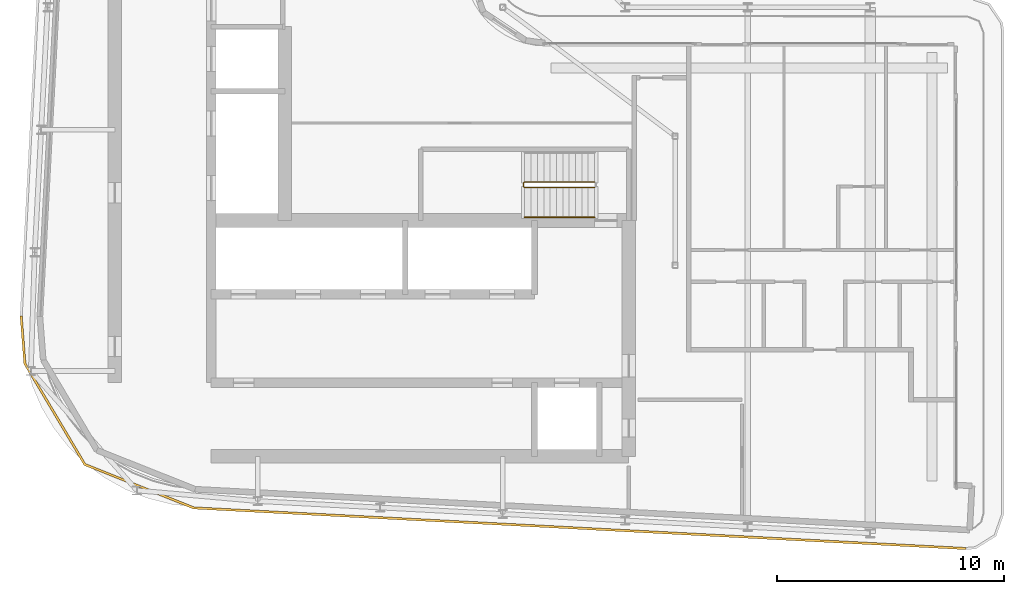
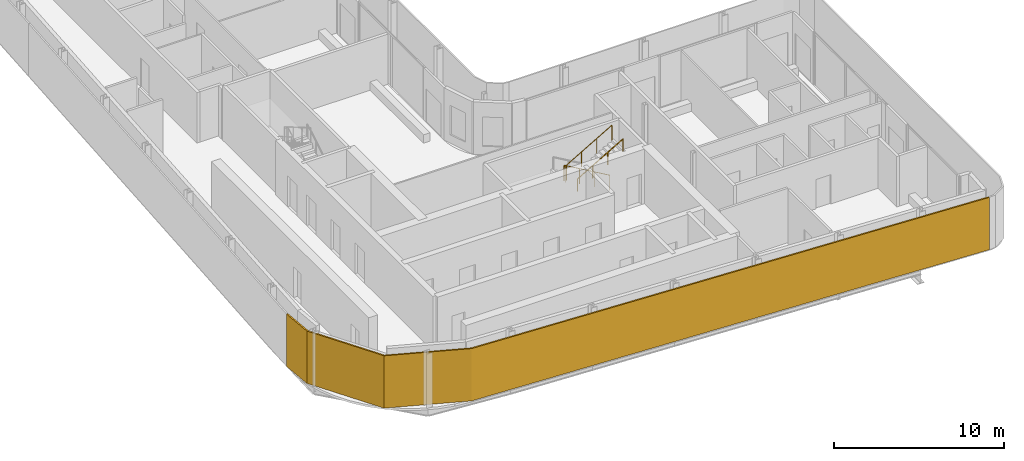
# One storey, part 16 of 21: 2 railings, 1 shading device.
"""IFC4 building model written with IfcOpenShell, lengths in metres."""

from ifc_helpers import new_model, si_unit, direction, frame, origin, origin_2d, place, context, subcontext, project, spatial, polyline, circle, outline, extrude, material, layer, layer_set, type_object, element, save


model = new_model("IFC4")

# Units and contexts
model_context = context("Model", 3, precision=1e-05, world=origin(), true_north=direction((0.0, 1.0)))
body_context = subcontext(model_context, "Body", "Model", "MODEL_VIEW")
ifc_project = project(units=[si_unit("LENGTHUNIT", "METRE"), si_unit("AREAUNIT", "SQUARE_METRE"), si_unit("VOLUMEUNIT", "CUBIC_METRE"), si_unit("PLANEANGLEUNIT", "RADIAN"), si_unit("MASSUNIT", "GRAM", prefix="KILO")], contexts=[model_context])

# Site, building, storey
site_placement = place(None, origin())
site = spatial("IfcSite", under=ifc_project, at=site_placement, CompositionType="ELEMENT")
building_placement = place(site_placement, origin())
building = spatial("IfcBuilding", under=site, at=building_placement, Name="Kheshtan School and Residences Tower", CompositionType="ELEMENT")
storey_placement = place(building_placement, frame((0.0, 0.0, 294.199951171875)))
storey = spatial("IfcBuildingStorey", under=building, at=storey_placement, Name="L69", CompositionType="ELEMENT", Elevation=294.199951171875)

# Shading device
ifc_material_1 = material(Name="Terracotta baguette, extruded ceramic", Category="masonry")
ifc_layer = layer(ifc_material_1, 0.10009765625)
ifc_layer_set = layer_set([ifc_layer], Name="Ledge screen, terracotta baguettes")
shading_device_type = type_object("IfcShadingDeviceType", Name="Ledge screen, terracotta baguettes", PredefinedType="USERDEFINED", material=ifc_layer_set)
shading_device_placement = place(storey_placement, origin())
element("IfcShadingDevice", 1, at=shading_device_placement, inside=storey, type_object=shading_device_type, Name="Screen L69 3", ObjectType="BAGUETTE", PredefinedType="USERDEFINED", context=body_context, shape_type="SweptSolid", body=[
    extrude(outline(polyline([(68.02099609375, 21.7880859375), (33.989013671875, 23.580078125), (29.2119140625, 25.486083984375), (26.583984375, 29.906982421875), (26.419921875, 31.989013671875), (26.320068359375, 31.98095703125), (26.486083984375, 29.8759765625), (29.14306640625, 25.406005859375), (33.967041015625, 23.48095703125), (68.01611328125, 21.68798828125), (68.02099609375, 21.7880859375)])), origin(), (0.0, 0.0, 1.0), 3.75),
])

# Railings
ifc_material_2 = material(Name="Stainless steel balustrade", Category="steel")
railing_type_1 = type_object("IfcRailingType", Name="Stair guard 1100", PredefinedType="GUARDRAIL", material=ifc_material_2)
railing_1_placement = place(storey_placement, frame((51.64990234375, 37.89990234375, 0.16259765625)))
element("IfcRailing", 2, at=railing_1_placement, inside=storey, type_object=railing_type_1, Name="L69 ST1 stair guard 1", PredefinedType="GUARDRAIL", context=body_context, shape_type="SweptSolid", body=[
    extrude(circle(Radius=0.02392578125, at=origin_2d()), frame((0.0, 0.0, 1.076171875), z_axis=(-0.864903211148, 0.0, 0.501938676878), x_axis=(0.0, -1.0, 0.0)), (0.0, 0.0, 1.0), 3.560791015625),
    extrude(circle(Radius=0.02392578125, at=origin_2d()), frame((-3.079833984375, 0.0, 2.86328125), z_axis=(-0.708833529934, -0.705375805398, 0.0), x_axis=(0.705375805398, -0.708833529934, 0.0)), (0.0, 0.0, 1.0), 0.070556640625),
    extrude(circle(Radius=0.02392578125, at=origin_2d()), frame((-3.1298828125, -0.0498046875, 2.86328125), z_axis=(0.0, -1.0, 0.0), x_axis=(1.0, 0.0, 0.0)), (0.0, 0.0, 1.0), 0.150146484375),
    extrude(circle(Radius=0.02392578125, at=origin_2d()), frame((-3.1298828125, -0.199951171875, 2.86328125), z_axis=(0.282227285176, -0.282227285176, 0.916894497205), x_axis=(0.707106781187, 0.707106781187, 0.0)), (0.0, 0.0, 1.0), 0.17724609375),
    extrude(circle(Radius=0.02392578125, at=origin_2d()), frame((-3.079833984375, -0.25, 3.02587890625), z_axis=(0.864873446163, 0.0, 0.501989962173), x_axis=(0.0, 1.0, 0.0)), (0.0, 0.0, 1.0), 3.56103515625),
    extrude(circle(Radius=0.02099609375, at=origin_2d()), origin(), (0.0, 0.0, 1.0), 1.052001953125),
    extrude(circle(Radius=0.02099609375, at=origin_2d()), frame((-1.026611328125, 0.0, 0.595703125)), (0.0, 0.0, 1.0), 1.052001953125),
    extrude(circle(Radius=0.02099609375, at=origin_2d()), frame((-2.05322265625, 0.0, 1.191650390625)), (0.0, 0.0, 1.0), 1.052001953125),
    extrude(circle(Radius=0.02099609375, at=origin_2d()), frame((-3.079833984375, 0.0, 1.787353515625)), (0.0, 0.0, 1.0), 1.052001953125),
    extrude(circle(Radius=0.02099609375, at=origin_2d()), frame((-3.1298828125, -0.0498046875, 1.787353515625)), (0.0, 0.0, 1.0), 1.052001953125),
    extrude(circle(Radius=0.02099609375, at=origin_2d()), frame((-3.1298828125, -0.199951171875, 1.787353515625)), (0.0, 0.0, 1.0), 1.052001953125),
    extrude(circle(Radius=0.02099609375, at=origin_2d()), frame((-3.079833984375, -0.25, 1.949951171875)), (0.0, 0.0, 1.0), 1.052001953125),
    extrude(circle(Radius=0.02099609375, at=origin_2d()), frame((-2.05322265625, -0.25, 2.5458984375)), (0.0, 0.0, 1.0), 1.052001953125),
    extrude(circle(Radius=0.02099609375, at=origin_2d()), frame((-1.026611328125, -0.25, 3.1416015625)), (0.0, 0.0, 1.0), 1.052001953125),
    extrude(circle(Radius=0.02099609375, at=origin_2d()), frame((0.0, -0.25, 3.737548828125)), (0.0, 0.0, 1.0), 1.052001953125),
])
ifc_material_3 = material(Name="Stainless steel handrail", Category="steel")
railing_type_2 = type_object("IfcRailingType", Name="Stair handrail 900", PredefinedType="HANDRAIL", material=ifc_material_3)
railing_2_placement = place(storey_placement, frame((48.570068359375, 36.35009765625, 2.112548828125)))
element("IfcRailing", 3, at=railing_2_placement, inside=storey, type_object=railing_type_2, Name="L69 ST1 stair handrail 2", PredefinedType="HANDRAIL", context=body_context, shape_type="SweptSolid", body=[
    extrude(circle(Radius=0.02392578125, at=origin_2d()), frame((0.0, 0.0, 0.8759765625), z_axis=(0.864873446163, 0.0, 0.501989962173), x_axis=(0.0, 1.0, 0.0)), (0.0, 0.0, 1.0), 3.56103515625),
    extrude(circle(Radius=0.02099609375, at=origin_2d()), origin(), (0.0, 0.0, 1.0), 0.851806640625),
    extrude(circle(Radius=0.02099609375, at=origin_2d()), frame((1.026611328125, 0.0, 0.595947265625)), (0.0, 0.0, 1.0), 0.851806640625),
    extrude(circle(Radius=0.02099609375, at=origin_2d()), frame((2.05322265625, 0.0, 1.191650390625)), (0.0, 0.0, 1.0), 0.851806640625),
    extrude(circle(Radius=0.02099609375, at=origin_2d()), frame((3.079833984375, 0.0, 1.78759765625)), (0.0, 0.0, 1.0), 0.851806640625),
])

save(model, "model.ifc")
